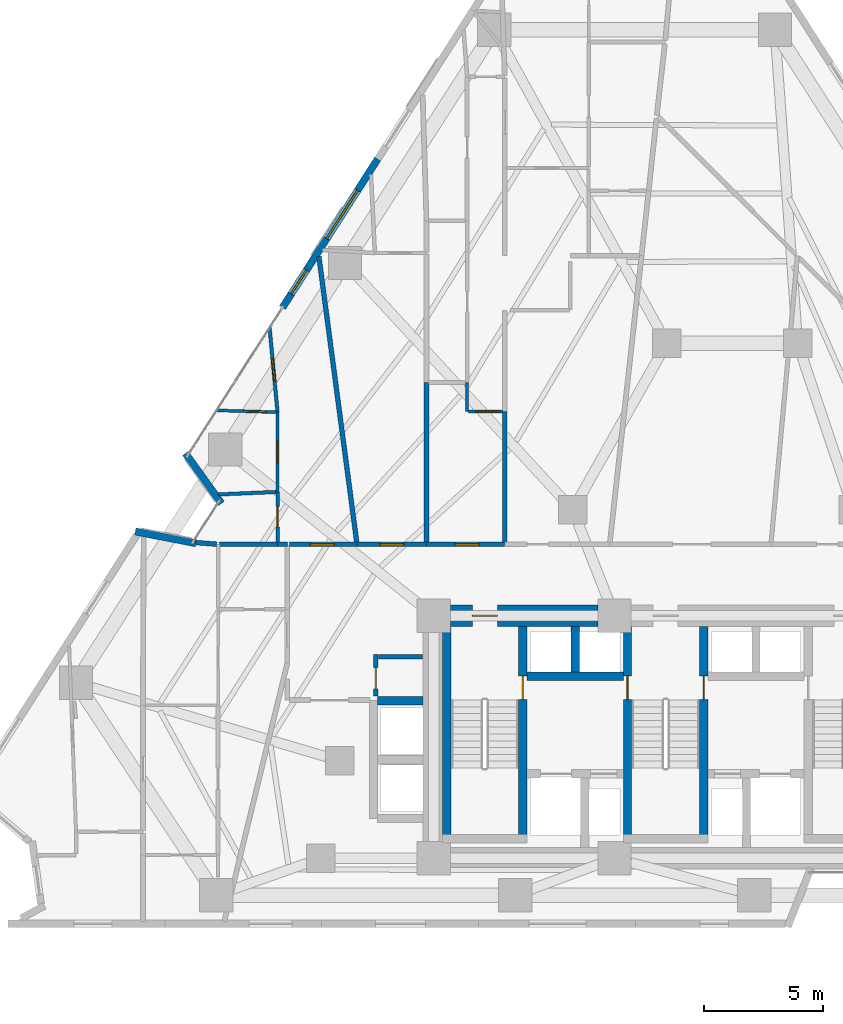
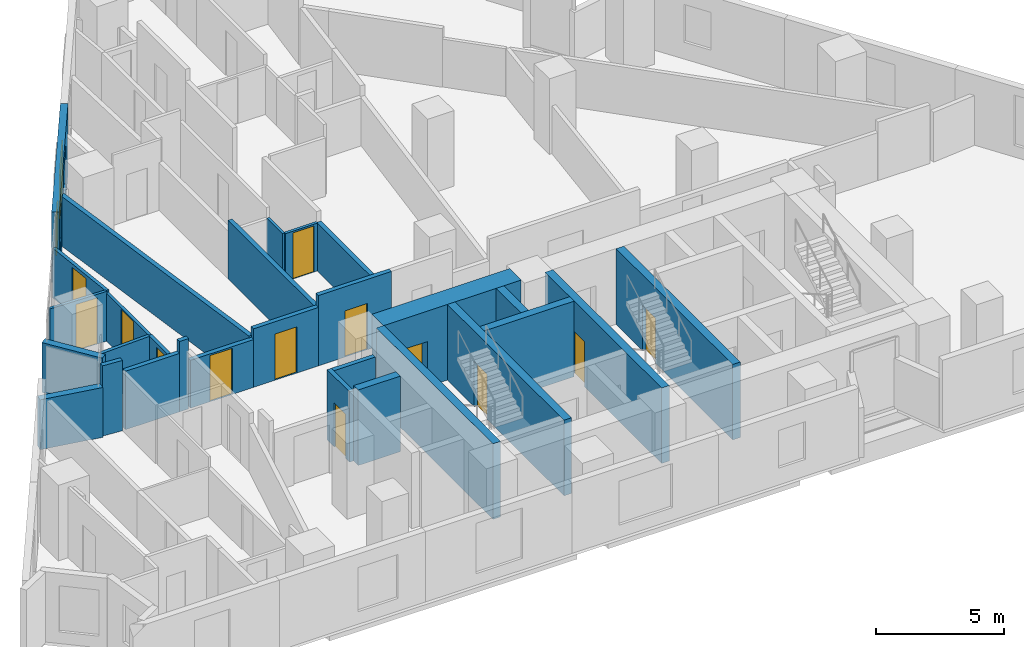
# One storey, part 7 of 13: 29 walls, 13 doors, 2 windows, 15 openings.
"""IFC4 building model written with IfcOpenShell, lengths in metres."""

from ifc_helpers import new_model, si_unit, direction, frame, frame_2d, origin, place, context, subcontext, project, spatial, rectangle, extrude, material, layer, layer_set, type_object, element, fill, save


model = new_model("IFC4")

# Units and contexts
model_context = context("Model", 3, precision=1e-05, world=origin(), true_north=direction((0.0, 1.0)))
body_context = subcontext(model_context, "Body", "Model", "MODEL_VIEW")
ifc_project = project(units=[si_unit("LENGTHUNIT", "METRE"), si_unit("AREAUNIT", "SQUARE_METRE"), si_unit("VOLUMEUNIT", "CUBIC_METRE"), si_unit("PLANEANGLEUNIT", "RADIAN"), si_unit("MASSUNIT", "GRAM", prefix="KILO")], contexts=[model_context])

# Site, building, storey
site_placement = place(None, origin())
site = spatial("IfcSite", under=ifc_project, at=site_placement, CompositionType="ELEMENT")
building_placement = place(site_placement, origin())
building = spatial("IfcBuilding", under=site, at=building_placement, Name="Almagre Mirador Tower", CompositionType="ELEMENT")
storey_placement = place(building_placement, frame((0.0, 0.0, 42.60009765625)))
storey = spatial("IfcBuildingStorey", under=building, at=storey_placement, Name="L09", CompositionType="ELEMENT", Elevation=42.60009765625)

# Walls
ifc_material_1 = material(Name="Precast concrete C50/60", Category="concrete")
ifc_layer_1 = layer(ifc_material_1, 0.300048828125)
ifc_layer_set_1 = layer_set([ifc_layer_1], Name="Precast concrete C50/60")
wall_type_1 = type_object("IfcWallType", Name="WAL-EXT-300", PredefinedType="SOLIDWALL", material=ifc_layer_set_1)
wall_1_placement = place(storey_placement, frame((15.01171875, 18.28759765625, 0.0), z_axis=(0.0, 0.0, 1.0), x_axis=(0.981746971615, -0.190191702567, 0.0)))
element("IfcWall", 1, at=wall_1_placement, inside=storey, type_object=wall_type_1, Name="L09 expressed almagre precast frame wall 01", PredefinedType="SOLIDWALL", context=body_context, shape_type="SweptSolid", body=[
    extrude(rectangle(XDim=2.593017578125, YDim=0.300048828125, at=frame_2d((1.29638671875, 0.0))), origin(), (0.0, 0.0, 1.0), 2.375),
])
wall_2_placement = place(storey_placement, frame((18.629638671875, 19.46728515625, 0.0), z_axis=(0.0, 0.0, 1.0), x_axis=(-0.58299973372, 0.812472344442, 0.0)))
element("IfcWall", 2, at=wall_2_placement, inside=storey, type_object=wall_type_1, Name="L09 expressed almagre precast frame wall 02", PredefinedType="SOLIDWALL", context=body_context, shape_type="SweptSolid", body=[
    extrude(rectangle(XDim=2.59375, YDim=0.300048828125, at=frame_2d((1.296875, 0.0))), origin(), (0.0, 0.0, 1.0), 2.375),
])

# Wall, openings, windows
wall_3_placement = place(storey_placement, frame((21.19775390625, 27.701171875, 0.0), z_axis=(0.0, 0.0, 1.0), x_axis=(0.539535005594, 0.841963168873, 0.0)))
wall_3 = element("IfcWall", 3, at=wall_3_placement, inside=storey, type_object=wall_type_1, Name="L09 expressed almagre precast frame wall 03", PredefinedType="SOLIDWALL", context=body_context, shape_type="SweptSolid", body=[
    extrude(rectangle(XDim=7.41162109375, YDim=0.300048828125, at=frame_2d((3.705810546875, 0.0))), origin(), (0.0, 0.0, 1.0), 3.349853515625),
])
opening_1_placement = place(wall_3_placement, frame((0.675048828125, 0.0, 0.800048828125)))
opening_1 = element("IfcOpeningElement", 4, at=opening_1_placement, cuts=wall_3, Name="Opening WN-04", PredefinedType="OPENING", context=body_context, shape_type="SweptSolid", body=[
    extrude(rectangle(XDim=1.199951171875, YDim=1.800048828125, at=frame_2d((0.60009765625, 0.89990234375))), frame((0.0, 0.159902, 0.0), z_axis=(0.0, -1.0, 0.0), x_axis=(1.0, 0.0, 0.0)), (0.0, 0.0, 1.0), 0.320049),
])
opening_2_placement = place(wall_3_placement, frame((3.449951171875, 0.0, 0.60009765625)))
opening_2 = element("IfcOpeningElement", 5, at=opening_2_placement, cuts=wall_3, Name="Opening WN-02", PredefinedType="OPENING", context=body_context, shape_type="SweptSolid", body=[
    extrude(rectangle(XDim=2.39990234375, YDim=2.10009765625, at=frame_2d((1.199951171875, 1.050048828125))), frame((0.0, 0.159902, 0.0), z_axis=(0.0, -1.0, 0.0), x_axis=(1.0, 0.0, 0.0)), (0.0, 0.0, 1.0), 0.320049),
])
ifc_material_2 = material(Name="Dark solar-control laminated hurricane glass", Category="glass")
window_type_1 = type_object("IfcWindowType", Name="WIN-1200X1800", PartitioningType="SINGLE_PANEL", PredefinedType="WINDOW", material=ifc_material_2)
window_1_placement = place(opening_1_placement, origin())
window_1 = element("IfcWindow", 6, at=window_1_placement, inside=storey, type_object=window_type_1, Name="L09 recessed hurricane window L09-UG-ST", OverallHeight=1.800048828125, OverallWidth=1.199951171875, PartitioningType="SINGLE_PANEL", PredefinedType="WINDOW", context=body_context, shape_type="SweptSolid", body=[
    extrude(rectangle(XDim=1.199951171875, YDim=1.800048828125, at=frame_2d((0.60009765625, 0.89990234375))), frame((0.0, 0.030029296875, 0.0), z_axis=(0.0, -1.0, 0.0), x_axis=(1.0, 0.0, 0.0)), (0.0, 0.0, 1.0), 0.06005859375),
])
fill(opening_1, window_1)
ifc_material_3 = material(Name="Dark solar-control laminated hurricane glass", Category="glass")
window_type_2 = type_object("IfcWindowType", Name="WIN-2400X2100", PartitioningType="TRIPLE_PANEL_VERTICAL", PredefinedType="WINDOW", material=ifc_material_3)
window_2_placement = place(opening_2_placement, origin())
window_2 = element("IfcWindow", 7, at=window_2_placement, inside=storey, type_object=window_type_2, Name="L09 recessed hurricane window L09-UH-BT", OverallHeight=2.10009765625, OverallWidth=2.39990234375, PartitioningType="SINGLE_PANEL", PredefinedType="WINDOW", context=body_context, shape_type="SweptSolid", body=[
    extrude(rectangle(XDim=2.39990234375, YDim=2.10009765625, at=frame_2d((1.199951171875, 1.050048828125))), frame((0.0, 0.030029296875, 0.0), z_axis=(0.0, -1.0, 0.0), x_axis=(1.0, 0.0, 0.0)), (0.0, 0.0, 1.0), 0.06005859375),
])
fill(opening_2, window_2)

# Wall, opening, door
ifc_material_4 = material(Name="Gypsum acoustic stud partition", Category="other")
ifc_layer_2 = layer(ifc_material_4, 0.125)
ifc_layer_set_2 = layer_set([ifc_layer_2], Name="Gypsum acoustic stud partition")
wall_type_2 = type_object("IfcWallType", Name="WAL-PRT-125-UTL", PredefinedType="PARTITIONING", material=ifc_layer_set_2)
wall_4_placement = place(storey_placement, frame((20.989990234375, 23.300048828125, 0.0), z_axis=(0.0, 0.0, 1.0), x_axis=(0.0, -1.0, 0.0)))
wall_4 = element("IfcWall", 8, at=wall_4_placement, inside=storey, type_object=wall_type_2, Name="L09 interior partition 051", PredefinedType="PARTITIONING", context=body_context, shape_type="SweptSolid", body=[
    extrude(rectangle(XDim=3.35009765625, YDim=0.125, at=frame_2d((1.675048828125, 0.0))), origin(), (0.0, 0.0, 1.0), 2.27880859375),
])
opening_3_placement = place(wall_4_placement, frame((1.199951171875, 0.0, 0.0)))
opening_3 = element("IfcOpeningElement", 9, at=opening_3_placement, cuts=wall_4, Name="Opening UD-01", PredefinedType="OPENING", context=body_context, shape_type="SweptSolid", body=[
    extrude(rectangle(XDim=0.949951171875, YDim=2.199951171875, at=frame_2d((0.47509765625, 1.10009765625))), frame((0.0, 0.0725, 0.0), z_axis=(0.0, -1.0, 0.0), x_axis=(1.0, 0.0, 0.0)), (0.0, 0.0, 1.0), 0.145),
])
ifc_material_5 = material(Name="Solid American walnut timber", Category="wood")
door_type_1 = type_object("IfcDoorType", Name="DOR-UNR-950X2200", OperationType="NOTDEFINED", PredefinedType="DOOR", material=ifc_material_5)
door_1_placement = place(opening_3_placement, origin())
door_1 = element("IfcDoor", 10, at=door_1_placement, inside=storey, type_object=door_type_1, Name="DR-0289 L09 interior door L09-UG-ST to L09-UG-KT", OperationType="SINGLE_SWING_RIGHT", OverallHeight=2.199951171875, OverallWidth=0.949951171875, PredefinedType="DOOR", context=body_context, shape_type="SweptSolid", body=[
    extrude(rectangle(XDim=0.949951171875, YDim=2.199951171875, at=frame_2d((0.47509765625, 1.10009765625))), frame((0.0, 0.02490234375, 0.0), z_axis=(0.0, -1.0, 0.0), x_axis=(1.0, 0.0, 0.0)), (0.0, 0.0, 1.0), 0.050048828125),
])
fill(opening_3, door_1)

wall_5_placement = place(storey_placement, frame((20.9423828125, 23.301513671875, 0.0), z_axis=(0.0, 0.0, 1.0), x_axis=(-0.999538504103, 0.030377274666, 0.0)))
wall_5 = element("IfcWall", 11, at=wall_5_placement, inside=storey, type_object=wall_type_2, Name="L09 interior partition 055", PredefinedType="PARTITIONING", context=body_context, shape_type="SweptSolid", body=[
    extrude(rectangle(XDim=2.515625, YDim=0.125, at=frame_2d((1.2578125, 0.0))), origin(), (0.0, 0.0, 1.0), 2.369873046875),
])
opening_4_placement = place(wall_5_placement, frame((0.42578125, 0.0, 0.0)))
opening_4 = element("IfcOpeningElement", 12, at=opening_4_placement, cuts=wall_5, Name="Opening UD-01", PredefinedType="OPENING", context=body_context, shape_type="SweptSolid", body=[
    extrude(rectangle(XDim=0.949951171875, YDim=2.199951171875, at=frame_2d((0.47509765625, 1.10009765625))), frame((0.0, 0.0725, 0.0), z_axis=(0.0, -1.0, 0.0), x_axis=(1.0, 0.0, 0.0)), (0.0, 0.0, 1.0), 0.145),
])
door_2_placement = place(opening_4_placement, origin())
door_2 = element("IfcDoor", 13, at=door_2_placement, inside=storey, type_object=door_type_1, Name="DR-0306 L09 interior door L09-UG-ST1 to L09-UG-KT", OperationType="SINGLE_SWING_RIGHT", OverallHeight=2.199951171875, OverallWidth=0.949951171875, PredefinedType="DOOR", context=body_context, shape_type="SweptSolid", body=[
    extrude(rectangle(XDim=0.949951171875, YDim=2.199951171875, at=frame_2d((0.47509765625, 1.10009765625))), frame((0.0, 0.02490234375, 0.0), z_axis=(0.0, -1.0, 0.0), x_axis=(1.0, 0.0, 0.0)), (0.0, 0.0, 1.0), 0.050048828125),
])
fill(opening_4, door_2)

# Wall
wall_6_placement = place(storey_placement, frame((28.9599609375, 24.550048828125, 0.0), z_axis=(0.0, 0.0, 1.0), x_axis=(0.0, -1.0, 0.0)))
element("IfcWall", 14, at=wall_6_placement, inside=storey, type_object=wall_type_2, Name="L09 interior partition 082", PredefinedType="PARTITIONING", context=body_context, shape_type="SweptSolid", body=[
    extrude(rectangle(XDim=1.219970703125, YDim=0.125, at=frame_2d((0.60986328125, 0.0))), origin(), (0.0, 0.0, 1.0), 2.27880859375),
])

# Wall, opening, door
wall_7_placement = place(storey_placement, frame((29.007568359375, 23.330078125, 0.0), z_axis=(0.0, 0.0, 1.0), x_axis=(1.0, 0.0, 0.0)))
wall_7 = element("IfcWall", 15, at=wall_7_placement, inside=storey, type_object=wall_type_2, Name="L09 interior partition 083", PredefinedType="PARTITIONING", context=body_context, shape_type="SweptSolid", body=[
    extrude(rectangle(XDim=1.447509765625, YDim=0.125, at=frame_2d((0.7236328125, 0.0))), origin(), (0.0, 0.0, 1.0), 2.27880859375),
])
opening_5_placement = place(wall_7_placement, frame((0.32568359375, 0.0, 0.0)))
opening_5 = element("IfcOpeningElement", 16, at=opening_5_placement, cuts=wall_7, Name="Opening UD-01", PredefinedType="OPENING", context=body_context, shape_type="SweptSolid", body=[
    extrude(rectangle(XDim=0.949951171875, YDim=2.199951171875, at=frame_2d((0.47509765625, 1.10009765625))), frame((0.0, 0.0725, 0.0), z_axis=(0.0, -1.0, 0.0), x_axis=(1.0, 0.0, 0.0)), (0.0, 0.0, 1.0), 0.145),
])
door_3_placement = place(opening_5_placement, origin())
door_3 = element("IfcDoor", 17, at=door_3_placement, inside=storey, type_object=door_type_1, Name="DR-0295 L09 interior door L09-UN-LV to L09-UN-KT", OperationType="SINGLE_SWING_LEFT", OverallHeight=2.199951171875, OverallWidth=0.949951171875, PredefinedType="DOOR", context=body_context, shape_type="SweptSolid", body=[
    extrude(rectangle(XDim=0.949951171875, YDim=2.199951171875, at=frame_2d((0.47509765625, 1.10009765625))), frame((0.0, 0.02490234375, 0.0), z_axis=(0.0, -1.0, 0.0), x_axis=(1.0, 0.0, 0.0)), (0.0, 0.0, 1.0), 0.050048828125),
])
fill(opening_5, door_3)

ifc_material_6 = material(Name="Gypsum acoustic stud partition", Category="other")
ifc_layer_3 = layer(ifc_material_6, 0.14990234375)
ifc_layer_set_3 = layer_set([ifc_layer_3], Name="Gypsum acoustic stud partition")
wall_type_3 = type_object("IfcWallType", Name="WAL-PRT-150-STD", PredefinedType="PARTITIONING", material=ifc_layer_set_3)
wall_8_placement = place(storey_placement, frame((20.989990234375, 19.949951171875, 0.0), z_axis=(0.0, 0.0, 1.0), x_axis=(0.0, -1.0, 0.0)))
wall_8 = element("IfcWall", 18, at=wall_8_placement, inside=storey, type_object=wall_type_3, Name="L09 interior partition 050", PredefinedType="PARTITIONING", context=body_context, shape_type="SweptSolid", body=[
    extrude(rectangle(XDim=2.114990234375, YDim=0.14990234375, at=frame_2d((1.0576171875, 0.0))), origin(), (0.0, 0.0, 1.0), 2.27880859375),
])
opening_6_placement = place(wall_8_placement, frame((0.615478515625, 0.0, 0.0)))
opening_6 = element("IfcOpeningElement", 19, at=opening_6_placement, cuts=wall_8, Name="Opening UD-04", PredefinedType="OPENING", context=body_context, shape_type="SweptSolid", body=[
    extrude(rectangle(XDim=0.85009765625, YDim=2.10009765625, at=frame_2d((0.425048828125, 1.050048828125))), frame((0.0, 0.084951, 0.0), z_axis=(0.0, -1.0, 0.0), x_axis=(1.0, 0.0, 0.0)), (0.0, 0.0, 1.0), 0.169902),
])
ifc_material_7 = material(Name="Moisture-resistant oak timber", Category="wood")
door_type_2 = type_object("IfcDoorType", Name="DOR-UNR-850X2100", OperationType="NOTDEFINED", PredefinedType="DOOR", material=ifc_material_7)
door_4_placement = place(opening_6_placement, origin())
door_4 = element("IfcDoor", 20, at=door_4_placement, inside=storey, type_object=door_type_2, Name="DR-0291 L09 interior door L09-UG-ST to L09-UG-HB", OperationType="SINGLE_SWING_RIGHT", OverallHeight=2.10009765625, OverallWidth=0.85009765625, PredefinedType="DOOR", context=body_context, shape_type="SweptSolid", body=[
    extrude(rectangle(XDim=0.85009765625, YDim=2.10009765625, at=frame_2d((0.425048828125, 1.050048828125))), frame((0.0, 0.02490234375, 0.0), z_axis=(0.0, -1.0, 0.0), x_axis=(1.0, 0.0, 0.0)), (0.0, 0.0, 1.0), 0.050048828125),
])
fill(opening_6, door_4)

wall_9_placement = place(storey_placement, frame((20.655029296875, 26.85498046875, 0.0), z_axis=(0.0, 0.0, 1.0), x_axis=(0.093808790525, -0.995590232385, 0.0)))
wall_9 = element("IfcWall", 21, at=wall_9_placement, inside=storey, type_object=wall_type_3, Name="L09 interior partition 052", PredefinedType="PARTITIONING", context=body_context, shape_type="SweptSolid", body=[
    extrude(rectangle(XDim=3.570556640625, YDim=0.14990234375, at=frame_2d((1.78515625, 0.0))), origin(), (0.0, 0.0, 1.0), 2.369873046875),
])
opening_7_placement = place(wall_9_placement, frame((1.310302734375, 0.0, 0.0)))
opening_7 = element("IfcOpeningElement", 22, at=opening_7_placement, cuts=wall_9, Name="Opening UD-01", PredefinedType="OPENING", context=body_context, shape_type="SweptSolid", body=[
    extrude(rectangle(XDim=0.949951171875, YDim=2.199951171875, at=frame_2d((0.47509765625, 1.10009765625))), frame((0.0, 0.084951, 0.0), z_axis=(0.0, -1.0, 0.0), x_axis=(1.0, 0.0, 0.0)), (0.0, 0.0, 1.0), 0.169902),
])
door_5_placement = place(opening_7_placement, origin())
door_5 = element("IfcDoor", 23, at=door_5_placement, inside=storey, type_object=door_type_1, Name="DR-0290 L09 interior door L09-UG-ST to L09-UG-ST1", OperationType="SINGLE_SWING_LEFT", OverallHeight=2.199951171875, OverallWidth=0.949951171875, PredefinedType="DOOR", context=body_context, shape_type="SweptSolid", body=[
    extrude(rectangle(XDim=0.949951171875, YDim=2.199951171875, at=frame_2d((0.47509765625, 1.10009765625))), frame((0.0, 0.02490234375, 0.0), z_axis=(0.0, -1.0, 0.0), x_axis=(1.0, 0.0, 0.0)), (0.0, 0.0, 1.0), 0.050048828125),
])
fill(opening_7, door_5)

# Wall
wall_10_placement = place(storey_placement, frame((20.929931640625, 19.947998046875, 0.0), z_axis=(0.0, 0.0, 1.0), x_axis=(-0.999099471677, -0.042429302309, 0.0)))
element("IfcWall", 24, at=wall_10_placement, inside=storey, type_object=wall_type_3, Name="L09 interior partition 054", PredefinedType="PARTITIONING", context=body_context, shape_type="SweptSolid", body=[
    extrude(rectangle(XDim=2.42822265625, YDim=0.14990234375, at=frame_2d((1.214111328125, 0.0))), origin(), (0.0, 0.0, 1.0), 2.27880859375),
])

# Wall, opening, door
ifc_material_8 = material(Name="Gypsum acoustic stud partition", Category="other")
ifc_layer_4 = layer(ifc_material_8, 0.199951171875)
ifc_layer_set_4 = layer_set([ifc_layer_4], Name="Gypsum acoustic stud partition")
wall_type_4 = type_object("IfcWallType", Name="WAL-PRT-200-EI60", PredefinedType="PARTITIONING", material=ifc_layer_set_4)
wall_11_placement = place(storey_placement, frame((25.1201171875, 11.3701171875, 0.0), z_axis=(0.0, 0.0, 1.0), x_axis=(0.0, 1.0, 0.0)))
wall_11 = element("IfcWall", 25, at=wall_11_placement, inside=storey, type_object=wall_type_4, Name="L09 core ancillary west wall", PredefinedType="PARTITIONING", context=body_context, shape_type="SweptSolid", body=[
    extrude(rectangle(XDim=1.739990234375, YDim=0.199951171875, at=frame_2d((0.8701171875, 0.0))), origin(), (0.0, 0.0, 1.0), 3.349853515625),
])
opening_8_placement = place(wall_11_placement, frame((0.304931640625, 0.0, 0.0)))
opening_8 = element("IfcOpeningElement", 26, at=opening_8_placement, cuts=wall_11, Name="Opening ID-03", PredefinedType="OPENING", context=body_context, shape_type="SweptSolid", body=[
    extrude(rectangle(XDim=0.89990234375, YDim=2.10009765625, at=frame_2d((0.449951171875, 1.050048828125))), frame((0.0, 0.110098, 0.0), z_axis=(0.0, -1.0, 0.0), x_axis=(1.0, 0.0, 0.0)), (0.0, 0.0, 1.0), 0.219951),
])
ifc_material_9 = material(Name="Fire-rated hollow steel", Category="steel")
door_type_3 = type_object("IfcDoorType", Name="DOR-FD60-900X2100", OperationType="NOTDEFINED", PredefinedType="DOOR", material=ifc_material_9)
door_6_placement = place(opening_8_placement, origin())
door_6 = element("IfcDoor", 27, at=door_6_placement, inside=storey, type_object=door_type_3, Name="DR-0271 L09 core ancillary corridor door", OperationType="SINGLE_SWING_RIGHT", OverallHeight=2.10009765625, OverallWidth=0.89990234375, PredefinedType="DOOR", context=body_context, shape_type="SweptSolid", body=[
    extrude(rectangle(XDim=0.89990234375, YDim=2.10009765625, at=frame_2d((0.449951171875, 1.050048828125))), frame((0.0, 0.02490234375, 0.0), z_axis=(0.0, -1.0, 0.0), x_axis=(1.0, 0.0, 0.0)), (0.0, 0.0, 1.0), 0.050048828125),
])
fill(opening_8, door_6)

# Wall
wall_12_placement = place(storey_placement, frame((25.22509765625, 13.02001953125, 0.0), z_axis=(0.0, 0.0, 1.0), x_axis=(1.0, 0.0, 0.0)))
element("IfcWall", 28, at=wall_12_placement, inside=storey, type_object=wall_type_4, Name="L09 core ancillary north wall", PredefinedType="PARTITIONING", context=body_context, shape_type="SweptSolid", body=[
    extrude(rectangle(XDim=1.85986328125, YDim=0.199951171875, at=frame_2d((0.929931640625, 0.0))), origin(), (0.0, 0.0, 1.0), 3.349853515625),
])

# Wall, opening, door
wall_13_placement = place(storey_placement, frame((24.330078125, 17.75, 0.0), z_axis=(0.0, 0.0, 1.0), x_axis=(-1.0, 0.0, 0.0)))
wall_13 = element("IfcWall", 29, at=wall_13_placement, inside=storey, type_object=wall_type_4, Name="L09 interior partition 008", PredefinedType="PARTITIONING", context=body_context, shape_type="SweptSolid", body=[
    extrude(rectangle(XDim=2.844970703125, YDim=0.199951171875, at=frame_2d((1.42236328125, 0.0))), origin(), (0.0, 0.0, 1.0), 2.27880859375),
])
opening_9_placement = place(wall_13_placement, frame((0.965087890625, 0.0, 0.0)))
opening_9 = element("IfcOpeningElement", 30, at=opening_9_placement, cuts=wall_13, Name="Opening ID-01", PredefinedType="OPENING", context=body_context, shape_type="SweptSolid", body=[
    extrude(rectangle(XDim=1.0, YDim=2.199951171875, at=frame_2d((0.5, 1.10009765625))), frame((0.0, 0.110098, 0.0), z_axis=(0.0, -1.0, 0.0), x_axis=(1.0, 0.0, 0.0)), (0.0, 0.0, 1.0), 0.219951),
])
ifc_material_10 = material(Name="Fire-rated walnut timber", Category="wood")
door_type_4 = type_object("IfcDoorType", Name="DOR-FD60-1000X2200", OperationType="NOTDEFINED", PredefinedType="DOOR", material=ifc_material_10)
door_7_placement = place(opening_9_placement, origin())
door_7 = element("IfcDoor", 31, at=door_7_placement, inside=storey, type_object=door_type_4, Name="DR-0288 L09 interior door L09-RCOR to L09-UG-ST", OperationType="SINGLE_SWING_LEFT", OverallHeight=2.199951171875, OverallWidth=1.0, PredefinedType="DOOR", context=body_context, shape_type="SweptSolid", body=[
    extrude(rectangle(XDim=1.0, YDim=2.199951171875, at=frame_2d((0.5, 1.10009765625))), frame((0.0, 0.02490234375, 0.0), z_axis=(0.0, -1.0, 0.0), x_axis=(1.0, 0.0, 0.0)), (0.0, 0.0, 1.0), 0.050048828125),
])
fill(opening_9, door_7)

wall_14_placement = place(storey_placement, frame((27.25, 17.75, 0.0), z_axis=(0.0, 0.0, 1.0), x_axis=(-1.0, 0.0, 0.0)))
wall_14 = element("IfcWall", 32, at=wall_14_placement, inside=storey, type_object=wall_type_4, Name="L09 interior partition 009", PredefinedType="PARTITIONING", context=body_context, shape_type="SweptSolid", body=[
    extrude(rectangle(XDim=2.919921875, YDim=0.199951171875, at=frame_2d((1.4599609375, 0.0))), origin(), (0.0, 0.0, 1.0), 2.786865234375),
])
opening_10_placement = place(wall_14_placement, frame((0.9599609375, 0.0, 0.0)))
opening_10 = element("IfcOpeningElement", 33, at=opening_10_placement, cuts=wall_14, Name="Opening ID-01", PredefinedType="OPENING", context=body_context, shape_type="SweptSolid", body=[
    extrude(rectangle(XDim=1.0, YDim=2.199951171875, at=frame_2d((0.5, 1.10009765625))), frame((0.0, 0.110098, 0.0), z_axis=(0.0, -1.0, 0.0), x_axis=(1.0, 0.0, 0.0)), (0.0, 0.0, 1.0), 0.219951),
])
door_8_placement = place(opening_10_placement, origin())
door_8 = element("IfcDoor", 34, at=door_8_placement, inside=storey, type_object=door_type_4, Name="DR-0292 L09 interior door L09-RCOR to L09-UH-ST", OperationType="SINGLE_SWING_LEFT", OverallHeight=2.199951171875, OverallWidth=1.0, PredefinedType="DOOR", context=body_context, shape_type="SweptSolid", body=[
    extrude(rectangle(XDim=1.0, YDim=2.199951171875, at=frame_2d((0.5, 1.10009765625))), frame((0.0, 0.02490234375, 0.0), z_axis=(0.0, -1.0, 0.0), x_axis=(1.0, 0.0, 0.0)), (0.0, 0.0, 1.0), 0.050048828125),
])
fill(opening_10, door_8)

wall_15_placement = place(storey_placement, frame((30.5400390625, 17.75, 0.0), z_axis=(0.0, 0.0, 1.0), x_axis=(-1.0, 0.0, 0.0)))
wall_15 = element("IfcWall", 35, at=wall_15_placement, inside=storey, type_object=wall_type_4, Name="L09 interior partition 014", PredefinedType="PARTITIONING", context=body_context, shape_type="SweptSolid", body=[
    extrude(rectangle(XDim=3.2900390625, YDim=0.199951171875, at=frame_2d((1.64501953125, 0.0))), origin(), (0.0, 0.0, 1.0), 3.349853515625),
])
opening_11_placement = place(wall_15_placement, frame((1.0859375, 0.0, 0.0)))
opening_11 = element("IfcOpeningElement", 36, at=opening_11_placement, cuts=wall_15, Name="Opening ID-01", PredefinedType="OPENING", context=body_context, shape_type="SweptSolid", body=[
    extrude(rectangle(XDim=1.0, YDim=2.199951171875, at=frame_2d((0.5, 1.10009765625))), frame((0.0, 0.110098, 0.0), z_axis=(0.0, -1.0, 0.0), x_axis=(1.0, 0.0, 0.0)), (0.0, 0.0, 1.0), 0.219951),
])
door_9_placement = place(opening_11_placement, origin())
door_9 = element("IfcDoor", 37, at=door_9_placement, inside=storey, type_object=door_type_4, Name="DR-0294 L09 interior door L09-RCOR to L09-UN-KT", OperationType="SINGLE_SWING_RIGHT", OverallHeight=2.199951171875, OverallWidth=1.0, PredefinedType="DOOR", context=body_context, shape_type="SweptSolid", body=[
    extrude(rectangle(XDim=1.0, YDim=2.199951171875, at=frame_2d((0.5, 1.10009765625))), frame((0.0, 0.02490234375, 0.0), z_axis=(0.0, -1.0, 0.0), x_axis=(1.0, 0.0, 0.0)), (0.0, 0.0, 1.0), 0.050048828125),
])
fill(opening_11, door_9)

# Walls
wall_16_placement = place(storey_placement, frame((21.39990234375, 17.75, 0.0), z_axis=(0.0, 0.0, 1.0), x_axis=(-1.0, 0.0, 0.0)))
element("IfcWall", 38, at=wall_16_placement, inside=storey, type_object=wall_type_4, Name="L09 interior partition 032", PredefinedType="PARTITIONING", context=body_context, shape_type="SweptSolid", body=[
    extrude(rectangle(XDim=0.409912109375, YDim=0.199951171875, at=frame_2d((0.205078125, 0.0))), origin(), (0.0, 0.0, 1.0), 3.349853515625),
])
wall_17_placement = place(storey_placement, frame((20.989990234375, 17.75, 0.0), z_axis=(0.0, 0.0, 1.0), x_axis=(-1.0, 0.0, 0.0)))
element("IfcWall", 39, at=wall_17_placement, inside=storey, type_object=wall_type_4, Name="L09 interior partition 033", PredefinedType="PARTITIONING", context=body_context, shape_type="SweptSolid", body=[
    extrude(rectangle(XDim=2.43994140625, YDim=0.199951171875, at=frame_2d((1.219970703125, 0.0))), origin(), (0.0, 0.0, 1.0), 2.786865234375),
])
wall_18_placement = place(storey_placement, frame((18.43017578125, 17.75439453125, 0.0), z_axis=(0.0, 0.0, 1.0), x_axis=(-0.997151002859, 0.07543127665, 0.0)))
element("IfcWall", 40, at=wall_18_placement, inside=storey, type_object=wall_type_4, Name="L09 interior partition 036", PredefinedType="PARTITIONING", context=body_context, shape_type="SweptSolid", body=[
    extrude(rectangle(XDim=0.87060546875, YDim=0.199951171875, at=frame_2d((0.435302734375, 0.0))), origin(), (0.0, 0.0, 1.0), 3.349853515625),
])
wall_19_placement = place(storey_placement, frame((24.319091796875, 17.834228515625, 0.0), z_axis=(0.0, 0.0, 1.0), x_axis=(-0.131322881858, 0.991339649515, 0.0)))
element("IfcWall", 41, at=wall_19_placement, inside=storey, type_object=wall_type_4, Name="L09 interior partition 053", PredefinedType="PARTITIONING", context=body_context, shape_type="SweptSolid", body=[
    extrude(rectangle(XDim=12.11572265625, YDim=0.199951171875, at=frame_2d((6.057861328125, 0.0))), origin(), (0.0, 0.0, 1.0), 2.369873046875),
])
wall_20_placement = place(storey_placement, frame((27.25, 17.8349609375, 0.0), z_axis=(0.0, 0.0, 1.0), x_axis=(0.0, 1.0, 0.0)))
element("IfcWall", 42, at=wall_20_placement, inside=storey, type_object=wall_type_4, Name="L09 interior partition 059", PredefinedType="PARTITIONING", context=body_context, shape_type="SweptSolid", body=[
    extrude(rectangle(XDim=6.715087890625, YDim=0.199951171875, at=frame_2d((3.357421875, 0.0))), origin(), (0.0, 0.0, 1.0), 2.786865234375),
])
wall_21_placement = place(storey_placement, frame((30.5400390625, 23.330078125, 0.0), z_axis=(0.0, 0.0, 1.0), x_axis=(0.0, -1.0, 0.0)))
element("IfcWall", 43, at=wall_21_placement, inside=storey, type_object=wall_type_4, Name="L09 interior partition 117", PredefinedType="PARTITIONING", context=body_context, shape_type="SweptSolid", body=[
    extrude(rectangle(XDim=5.4951171875, YDim=0.199951171875, at=frame_2d((2.74755859375, 0.0))), origin(), (0.0, 0.0, 1.0), 2.27880859375),
])
ifc_material_11 = material(Name="Concrete C60/75", Category="concrete")
ifc_layer_5 = layer(ifc_material_11, 0.35009765625)
ifc_layer_set_5 = layer_set([ifc_layer_5], Name="Concrete C60/75")
wall_type_5 = type_object("IfcWallType", Name="WAL-SHF-350", PredefinedType="SOLIDWALL", material=ifc_layer_set_5)
wall_22_placement = place(storey_placement, frame((28.10009765625, 5.199951171875, 0.0), z_axis=(0.0, 0.0, 1.0), x_axis=(0.0, 1.0, 0.0)))
element("IfcWall", 44, at=wall_22_placement, inside=storey, type_object=wall_type_5, Name="L09 shaft wall ST1-W", PredefinedType="SOLIDWALL", context=body_context, shape_type="SweptSolid", body=[
    extrude(rectangle(XDim=9.10009765625, YDim=0.35009765625, at=frame_2d((4.550048828125, 0.0))), origin(), (0.0, 0.0, 1.0), 3.599853515625),
])

# Wall, opening, door
wall_23_placement = place(storey_placement, frame((31.300048828125, 5.199951171875, 0.0), z_axis=(0.0, 0.0, 1.0), x_axis=(0.0, 1.0, 0.0)))
wall_23 = element("IfcWall", 45, at=wall_23_placement, inside=storey, type_object=wall_type_5, Name="L09 shaft wall ST1-E", PredefinedType="SOLIDWALL", context=body_context, shape_type="SweptSolid", body=[
    extrude(rectangle(XDim=9.10009765625, YDim=0.35009765625, at=frame_2d((4.550048828125, 0.0))), origin(), (0.0, 0.0, 1.0), 3.599853515625),
])
opening_12_placement = place(wall_23_placement, frame((6.02001953125, 0.0, 0.0)))
opening_12 = element("IfcOpeningElement", 46, at=opening_12_placement, cuts=wall_23, Name="Opening FD-01", PredefinedType="OPENING", context=body_context, shape_type="SweptSolid", body=[
    extrude(rectangle(XDim=1.0, YDim=2.14990234375, at=frame_2d((0.5, 1.074951171875))), frame((0.0, 0.185049, 0.0), z_axis=(0.0, -1.0, 0.0), x_axis=(1.0, 0.0, 0.0)), (0.0, 0.0, 1.0), 0.370098),
])
ifc_material_12 = material(Name="Fire-rated hollow steel", Category="steel")
door_type_5 = type_object("IfcDoorType", Name="DOR-FFL-1000X2150", OperationType="NOTDEFINED", PredefinedType="DOOR", material=ifc_material_12)
door_10_placement = place(opening_12_placement, origin())
door_10 = element("IfcDoor", 47, at=door_10_placement, inside=storey, type_object=door_type_5, Name="DR-0272 L09 FFL1-ST1 smokeproof door", OperationType="SINGLE_SWING_RIGHT", OverallHeight=2.14990234375, OverallWidth=1.0, PredefinedType="DOOR", context=body_context, shape_type="SweptSolid", body=[
    extrude(rectangle(XDim=1.0, YDim=2.14990234375, at=frame_2d((0.5, 1.074951171875))), frame((0.0, 0.02490234375, 0.0), z_axis=(0.0, -1.0, 0.0), x_axis=(1.0, 0.0, 0.0)), (0.0, 0.0, 1.0), 0.050048828125),
])
fill(opening_12, door_10)

wall_24_placement = place(storey_placement, frame((35.699951171875, 5.199951171875, 0.0), z_axis=(0.0, 0.0, 1.0), x_axis=(0.0, 1.0, 0.0)))
wall_24 = element("IfcWall", 48, at=wall_24_placement, inside=storey, type_object=wall_type_5, Name="L09 shaft wall ST2-W", PredefinedType="SOLIDWALL", context=body_context, shape_type="SweptSolid", body=[
    extrude(rectangle(XDim=9.10009765625, YDim=0.35009765625, at=frame_2d((4.550048828125, 0.0))), origin(), (0.0, 0.0, 1.0), 3.599853515625),
])
opening_13_placement = place(wall_24_placement, frame((6.02001953125, 0.0, 0.0)))
opening_13 = element("IfcOpeningElement", 49, at=opening_13_placement, cuts=wall_24, Name="Opening FD-01", PredefinedType="OPENING", context=body_context, shape_type="SweptSolid", body=[
    extrude(rectangle(XDim=1.0, YDim=2.14990234375, at=frame_2d((0.5, 1.074951171875))), frame((0.0, 0.185049, 0.0), z_axis=(0.0, -1.0, 0.0), x_axis=(1.0, 0.0, 0.0)), (0.0, 0.0, 1.0), 0.370098),
])
door_11_placement = place(opening_13_placement, origin())
door_11 = element("IfcDoor", 50, at=door_11_placement, inside=storey, type_object=door_type_5, Name="DR-0273 L09 FFL1-ST2 smokeproof door", OperationType="SINGLE_SWING_LEFT", OverallHeight=2.14990234375, OverallWidth=1.0, PredefinedType="DOOR", context=body_context, shape_type="SweptSolid", body=[
    extrude(rectangle(XDim=1.0, YDim=2.14990234375, at=frame_2d((0.5, 1.074951171875))), frame((0.0, 0.02490234375, 0.0), z_axis=(0.0, -1.0, 0.0), x_axis=(1.0, 0.0, 0.0)), (0.0, 0.0, 1.0), 0.050048828125),
])
fill(opening_13, door_11)

wall_25_placement = place(storey_placement, frame((38.89990234375, 5.199951171875, 0.0), z_axis=(0.0, 0.0, 1.0), x_axis=(0.0, 1.0, 0.0)))
wall_25 = element("IfcWall", 51, at=wall_25_placement, inside=storey, type_object=wall_type_5, Name="L09 shaft wall ST2-E", PredefinedType="SOLIDWALL", context=body_context, shape_type="SweptSolid", body=[
    extrude(rectangle(XDim=9.10009765625, YDim=0.35009765625, at=frame_2d((4.550048828125, 0.0))), origin(), (0.0, 0.0, 1.0), 3.599853515625),
])
opening_14_placement = place(wall_25_placement, frame((6.02001953125, 0.0, 0.0)))
opening_14 = element("IfcOpeningElement", 52, at=opening_14_placement, cuts=wall_25, Name="Opening FD-01", PredefinedType="OPENING", context=body_context, shape_type="SweptSolid", body=[
    extrude(rectangle(XDim=1.0, YDim=2.14990234375, at=frame_2d((0.5, 1.074951171875))), frame((0.0, 0.185049, 0.0), z_axis=(0.0, -1.0, 0.0), x_axis=(1.0, 0.0, 0.0)), (0.0, 0.0, 1.0), 0.370098),
])
door_12_placement = place(opening_14_placement, origin())
door_12 = element("IfcDoor", 53, at=door_12_placement, inside=storey, type_object=door_type_5, Name="DR-0274 L09 FFL2-ST2 smokeproof door", OperationType="SINGLE_SWING_RIGHT", OverallHeight=2.14990234375, OverallWidth=1.0, PredefinedType="DOOR", context=body_context, shape_type="SweptSolid", body=[
    extrude(rectangle(XDim=1.0, YDim=2.14990234375, at=frame_2d((0.5, 1.074951171875))), frame((0.0, 0.02490234375, 0.0), z_axis=(0.0, -1.0, 0.0), x_axis=(1.0, 0.0, 0.0)), (0.0, 0.0, 1.0), 0.050048828125),
])
fill(opening_14, door_12)

# Walls
wall_26_placement = place(storey_placement, frame((31.47509765625, 12.199951171875, 0.0), z_axis=(0.0, 0.0, 1.0), x_axis=(1.0, 0.0, 0.0)))
element("IfcWall", 54, at=wall_26_placement, inside=storey, type_object=wall_type_5, Name="L09 shaft wall PLM-S", PredefinedType="SOLIDWALL", context=body_context, shape_type="SweptSolid", body=[
    extrude(rectangle(XDim=4.0498046875, YDim=0.35009765625, at=frame_2d((2.02490234375, 0.0))), origin(), (0.0, 0.0, 1.0), 3.599853515625),
])
wall_27_placement = place(storey_placement, frame((33.5, 12.375, 0.0), z_axis=(0.0, 0.0, 1.0), x_axis=(0.0, 1.0, 0.0)))
element("IfcWall", 55, at=wall_27_placement, inside=storey, type_object=wall_type_5, Name="L09 shaft wall PLM-M", PredefinedType="SOLIDWALL", context=body_context, shape_type="SweptSolid", body=[
    extrude(rectangle(XDim=1.925048828125, YDim=0.35009765625, at=frame_2d((0.96240234375, 0.0))), origin(), (0.0, 0.0, 1.0), 3.599853515625),
])
wall_28_placement = place(storey_placement, frame((25.199951171875, 11.175048828125, 0.0), z_axis=(0.0, 0.0, 1.0), x_axis=(1.0, 0.0, 0.0)))
element("IfcWall", 56, at=wall_28_placement, inside=storey, type_object=wall_type_5, Name="L09 shaft wall OL-N", PredefinedType="SOLIDWALL", context=body_context, shape_type="SweptSolid", body=[
    extrude(rectangle(XDim=1.900146484375, YDim=0.35009765625, at=frame_2d((0.9501953125, 0.0))), origin(), (0.0, 0.0, 1.0), 3.599853515625),
])

# Wall, opening, door
ifc_material_13 = material(Name="Concrete C70/85", Category="concrete")
ifc_layer_6 = layer(ifc_material_13, 0.89990234375)
ifc_layer_set_6 = layer_set([ifc_layer_6], Name="Concrete C70/85")
wall_type_6 = type_object("IfcWallType", Name="WAL-SHR-900", PredefinedType="SHEAR", material=ifc_layer_set_6)
wall_29_placement = place(storey_placement, frame((28.25, 14.75, 0.0), z_axis=(0.0, 0.0, 1.0), x_axis=(1.0, 0.0, 0.0)))
wall_29 = element("IfcWall", 57, at=wall_29_placement, inside=storey, type_object=wall_type_6, Name="L09 core shear wall N1", PredefinedType="SHEAR", context=body_context, shape_type="SweptSolid", body=[
    extrude(rectangle(XDim=6.199951171875, YDim=0.89990234375, at=frame_2d((3.10009765625, 0.0))), origin(), (0.0, 0.0, 1.0), 3.599853515625),
])
opening_15_placement = place(wall_29_placement, frame((0.925048828125, 0.0, 0.0)))
opening_15 = element("IfcOpeningElement", 58, at=opening_15_placement, cuts=wall_29, Name="Opening SD-01", PredefinedType="OPENING", context=body_context, shape_type="SweptSolid", body=[
    extrude(rectangle(XDim=1.050048828125, YDim=2.14990234375, at=frame_2d((0.52490234375, 1.074951171875))), frame((0.0, 0.459951, 0.0), z_axis=(0.0, -1.0, 0.0), x_axis=(1.0, 0.0, 0.0)), (0.0, 0.0, 1.0), 0.919902),
])
ifc_material_14 = material(Name="Fire-rated hollow steel", Category="steel")
door_type_6 = type_object("IfcDoorType", Name="DOR-ST-1050X2150", OperationType="NOTDEFINED", PredefinedType="DOOR", material=ifc_material_14)
door_13_placement = place(opening_15_placement, origin())
door_13 = element("IfcDoor", 59, at=door_13_placement, inside=storey, type_object=door_type_6, Name="DR-0311 L09 protected exit stair ST-1 door", OperationType="SINGLE_SWING_RIGHT", OverallHeight=2.14990234375, OverallWidth=1.050048828125, PredefinedType="DOOR", context=body_context, shape_type="SweptSolid", body=[
    extrude(rectangle(XDim=1.050048828125, YDim=2.14990234375, at=frame_2d((0.52490234375, 1.074951171875))), frame((0.0, 0.02490234375, 0.0), z_axis=(0.0, -1.0, 0.0), x_axis=(1.0, 0.0, 0.0)), (0.0, 0.0, 1.0), 0.050048828125),
])
fill(opening_15, door_13)

save(model, "model.ifc")
